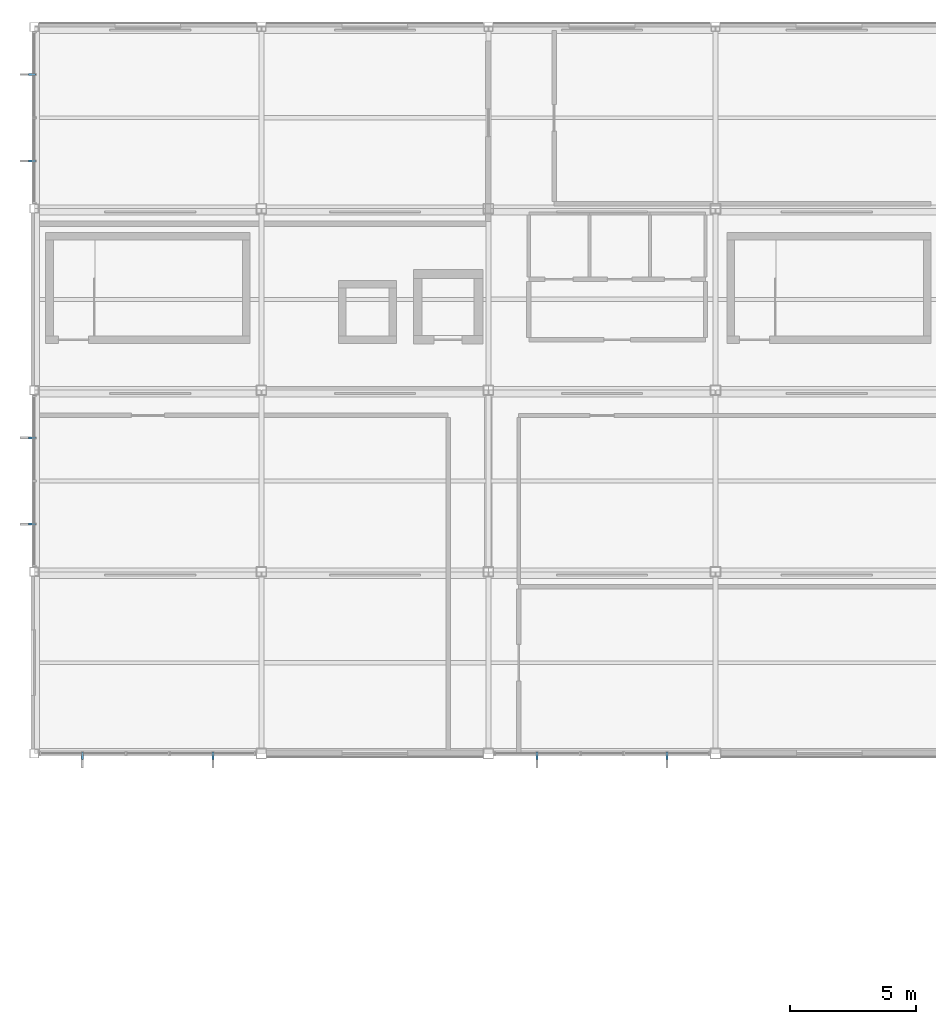
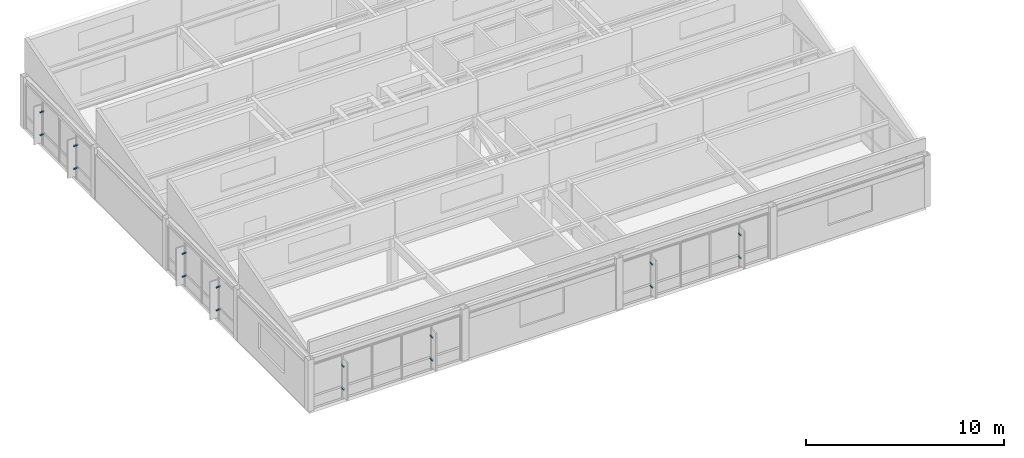
# One storey, part 40 of 43: 16 discrete accessories.
"""IFC4 building model written with IfcOpenShell, lengths in metres."""

from ifc_helpers import new_model, si_unit, direction, frame, origin, origin_2d, place, context, subcontext, project, spatial, rectangle, extrude, material, type_object, element, save


model = new_model("IFC4")

# Units and contexts
model_context = context("Model", 3, precision=1e-05, world=origin(), true_north=direction((0.0, 1.0)))
body_context = subcontext(model_context, "Body", "Model", "MODEL_VIEW")
ifc_project = project(units=[si_unit("LENGTHUNIT", "METRE"), si_unit("AREAUNIT", "SQUARE_METRE"), si_unit("VOLUMEUNIT", "CUBIC_METRE"), si_unit("PLANEANGLEUNIT", "RADIAN"), si_unit("MASSUNIT", "GRAM", prefix="KILO")], contexts=[model_context])

# Site, building, storey
site_placement = place(None, origin())
site = spatial("IfcSite", under=ifc_project, at=site_placement, CompositionType="ELEMENT")
building_placement = place(site_placement, origin())
building = spatial("IfcBuilding", under=site, at=building_placement, Name="Kazanami Central Library", CompositionType="ELEMENT")
storey_placement = place(building_placement, frame((0.0, 0.0, 20.60009765625)))
storey = spatial("IfcBuildingStorey", under=building, at=storey_placement, Name="L06", CompositionType="ELEMENT", Elevation=20.60009765625)

# Discrete accessories
ifc_material = material(Name="Stainless Steel SUS304", Category="steel")
discrete_accessory_type = type_object("IfcDiscreteAccessoryType", Name="ACC-BRK-1", PredefinedType="BRACKET", material=ifc_material)
for number, where, z_axis, x_axis, name in (
    (1, (1.89990234375, 64.7099609375, 0.644775390625), (0.0, 0.0, 1.0), (1.0, 0.0, 0.0), "Solar Fin Outrigger Bracket L06 S-K-00.1.1"),
    (2, (1.89990234375, 64.7099609375, 2.054931640625), (0.0, 0.0, 1.0), (1.0, 0.0, 0.0), "Solar Fin Outrigger Bracket L06 S-K-00.1.2"),
    (3, (7.074951171875, 64.7099609375, 0.644775390625), (0.0, 0.0, 1.0), (1.0, 0.0, 0.0), "Solar Fin Outrigger Bracket L06 S-K-00.2.1"),
    (4, (7.074951171875, 64.7099609375, 2.054931640625), (0.0, 0.0, 1.0), (1.0, 0.0, 0.0), "Solar Fin Outrigger Bracket L06 S-K-00.2.2"),
    (5, (19.919921875, 64.7099609375, 0.644775390625), (0.0, 0.0, 1.0), (1.0, 0.0, 0.0), "Solar Fin Outrigger Bracket L06 S-K-02.1.1"),
    (6, (19.919921875, 64.7099609375, 2.054931640625), (0.0, 0.0, 1.0), (1.0, 0.0, 0.0), "Solar Fin Outrigger Bracket L06 S-K-02.1.2"),
    (7, (25.080078125, 64.7099609375, 0.644775390625), (0.0, 0.0, 1.0), (1.0, 0.0, 0.0), "Solar Fin Outrigger Bracket L06 S-K-02.2.1"),
    (8, (25.080078125, 64.7099609375, 2.054931640625), (0.0, 0.0, 1.0), (1.0, 0.0, 0.0), "Solar Fin Outrigger Bracket L06 S-K-02.2.2"),
    (9, (-0.090087890625, 73.887451171875, 0.644775390625), (0.0, 0.0, 1.0), (0.0, 1.0, 0.0), "Solar Fin Outrigger Bracket L06 W-1-10.1.1"),
    (10, (-0.090087890625, 73.887451171875, 2.054931640625), (0.0, 0.0, 1.0), (0.0, 1.0, 0.0), "Solar Fin Outrigger Bracket L06 W-1-10.1.2"),
    (11, (-0.090087890625, 77.3125, 0.644775390625), (0.0, 0.0, 1.0), (0.0, 1.0, 0.0), "Solar Fin Outrigger Bracket L06 W-1-10.2.1"),
    (12, (-0.090087890625, 77.3125, 2.054931640625), (0.0, 0.0, 1.0), (0.0, 1.0, 0.0), "Solar Fin Outrigger Bracket L06 W-1-10.2.2"),
    (13, (-0.090087890625, 88.28759765625, 0.644775390625), (0.0, 0.0, 1.0), (0.0, 1.0, 0.0), "Solar Fin Outrigger Bracket L06 W-1-12.1.1"),
    (14, (-0.090087890625, 88.28759765625, 2.054931640625), (0.0, 0.0, 1.0), (0.0, 1.0, 0.0), "Solar Fin Outrigger Bracket L06 W-1-12.1.2"),
    (15, (-0.090087890625, 91.71240234375, 0.644775390625), (0.0, 0.0, 1.0), (0.0, 1.0, 0.0), "Solar Fin Outrigger Bracket L06 W-1-12.2.1"),
    (16, (-0.090087890625, 91.71240234375, 2.054931640625), (0.0, 0.0, 1.0), (0.0, 1.0, 0.0), "Solar Fin Outrigger Bracket L06 W-1-12.2.2"),
):
    element("IfcDiscreteAccessory", number, at=place(storey_placement, frame(where, z_axis=z_axis, x_axis=x_axis)), inside=storey, type_object=discrete_accessory_type, Name=name, PredefinedType="BRACKET", context=body_context, shape_type="SweptSolid", body=[
        extrude(rectangle(XDim=0.080078125, YDim=0.280029296875, at=origin_2d()), origin(), (0.0, 0.0, 1.0), 0.080078125),
    ])

save(model, "model.ifc")
